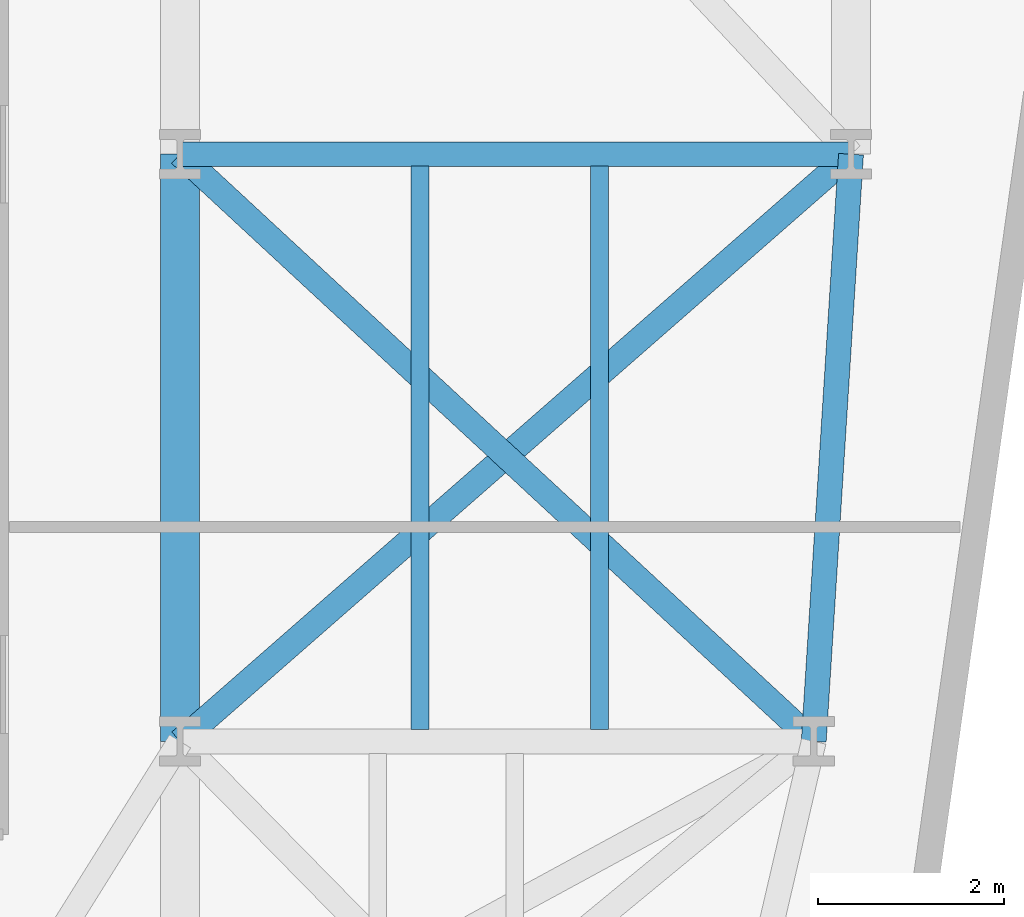
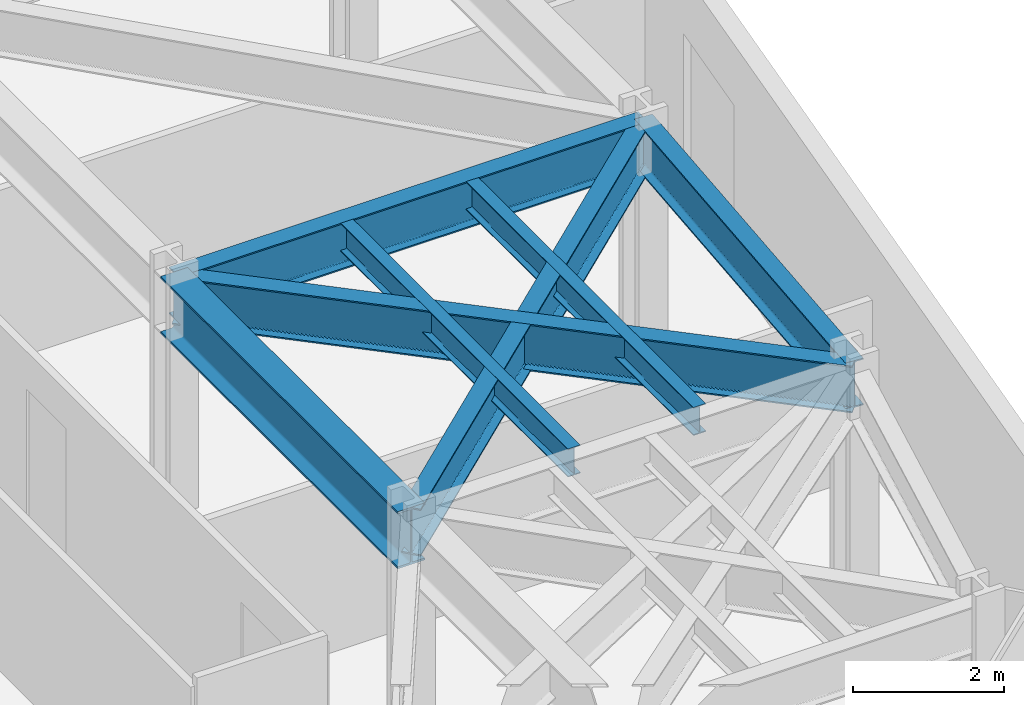
# One storey, part 14 of 25: 7 beams.
"""IFC4 building model written with IfcOpenShell, lengths in metres."""

from ifc_helpers import new_model, si_unit, direction, frame, origin, origin_2d, place, context, subcontext, project, spatial, i_section, extrude, material, material_profile, profile_set, type_object, element, save


model = new_model("IFC4")

# Units and contexts
model_context = context("Model", 3, precision=1e-05, world=origin(), true_north=direction((0.0, 1.0)))
body_context = subcontext(model_context, "Body", "Model", "MODEL_VIEW")
ifc_project = project(units=[si_unit("LENGTHUNIT", "METRE"), si_unit("AREAUNIT", "SQUARE_METRE"), si_unit("VOLUMEUNIT", "CUBIC_METRE"), si_unit("PLANEANGLEUNIT", "RADIAN"), si_unit("MASSUNIT", "GRAM", prefix="KILO")], contexts=[model_context])

# Site, building, storey
site_placement = place(None, origin())
site = spatial("IfcSite", under=ifc_project, at=site_placement, CompositionType="ELEMENT")
building_placement = place(site_placement, origin())
building = spatial("IfcBuilding", under=site, at=building_placement, Name="Kravanh Interchange Tower", CompositionType="ELEMENT")
storey_placement = place(building_placement, frame((0.0, 0.0, 41.5)))
storey = spatial("IfcBuildingStorey", under=building, at=storey_placement, Name="L09", CompositionType="ELEMENT", Elevation=41.5)

# Beams
ifc_material_1 = material(Name="Structural Steel S355", Category="steel")
ifc_material_profile_1 = material_profile(ifc_material_1, i_section(OverallWidth=0.41796875, OverallDepth=0.927001953125, WebThickness=0.019287109375, FlangeThickness=0.031982421875, FilletRadius=0.028076171875, at=origin_2d()), Name="W36X231")
ifc_profile_set_1 = profile_set([ifc_material_profile_1], Name="Structural Steel S355")
beam_type_1 = type_object("IfcBeamType", Name="Floor Beam W36X231 Structural Steel S355", PredefinedType="BEAM", material=ifc_profile_set_1)
beam_1_placement = place(storey_placement, frame((56.0, 14.5, 3.276611328125), z_axis=(0.0, -1.0, 0.0), x_axis=(1.0, 0.0, 0.0)))
element("IfcBeam", 1, at=beam_1_placement, inside=storey, type_object=beam_type_1, Name="L09 Primary Floor Girder 42", PredefinedType="BEAM", context=body_context, shape_type="SweptSolid", body=[
    extrude(i_section(OverallWidth=0.41796875, OverallDepth=0.927001953125, WebThickness=0.019287109375, FlangeThickness=0.031982421875, FilletRadius=0.028076171875, at=origin_2d()), origin(), (0.0, 0.0, 1.0), 6.300048828125),
])
ifc_material_2 = material(Name="Structural Steel S355", Category="steel")
ifc_material_profile_2 = material_profile(ifc_material_2, i_section(OverallWidth=0.18994140625, OverallDepth=0.45703125, WebThickness=0.009033203125, FlangeThickness=0.014404296875, FilletRadius=0.01806640625, at=origin_2d()), Name="W18X50")
ifc_profile_set_2 = profile_set([ifc_material_profile_2], Name="Structural Steel S355")
beam_type_2 = type_object("IfcBeamType", Name="Floor Joist W18X50 Structural Steel S355", PredefinedType="JOIST", material=ifc_profile_set_2)
for number, where, z_axis, x_axis, name in (
    (2, (58.574951171875, 8.32861328125, 3.511474609375), (0.0, 1.0, 0.0), (-1.0, 0.0, 0.0), "L09 Secondary Floor Joist 11"),
    (3, (60.5, 8.32861328125, 3.511474609375), (0.0, 1.0, 0.0), (-1.0, 0.0, 0.0), "L09 Secondary Floor Joist 12"),
):
    element("IfcBeam", number, at=place(storey_placement, frame(where, z_axis=z_axis, x_axis=x_axis)), inside=storey, type_object=beam_type_2, Name=name, PredefinedType="JOIST", context=body_context, shape_type="SweptSolid", body=[
        extrude(i_section(OverallWidth=0.18994140625, OverallDepth=0.45703125, WebThickness=0.009033203125, FlangeThickness=0.014404296875, FilletRadius=0.01806640625, at=origin_2d()), origin(), (0.0, 0.0, 1.0), 6.04296875),
    ])
ifc_material_3 = material(Name="Structural Steel S355", Category="steel")
ifc_material_profile_3 = material_profile(ifc_material_3, i_section(OverallWidth=0.26708984375, OverallDepth=0.761962890625, WebThickness=0.014404296875, FlangeThickness=0.021484375, FilletRadius=0.02490234375, at=origin_2d()), Name="W30X116")
ifc_profile_set_3 = profile_set([ifc_material_profile_3], Name="Structural Steel S355")
beam_type_3 = type_object("IfcBeamType", Name="Floor Spandrel W30X116 Structural Steel S355", PredefinedType="SPANDREL", material=ifc_profile_set_3)
beam_2_placement = place(storey_placement, frame((56.0, 14.5, 3.35888671875), z_axis=(1.0, 0.0, 0.0), x_axis=(0.0, 1.0, 0.0)))
element("IfcBeam", 4, at=beam_2_placement, inside=storey, type_object=beam_type_3, Name="L09 Perimeter Spandrel 43", PredefinedType="SPANDREL", context=body_context, shape_type="SweptSolid", body=[
    extrude(i_section(OverallWidth=0.26708984375, OverallDepth=0.761962890625, WebThickness=0.014404296875, FlangeThickness=0.021484375, FilletRadius=0.02490234375, at=origin_2d()), origin(), (0.0, 0.0, 1.0), 7.199951171875),
])
beam_3_placement = place(storey_placement, frame((56.0, 14.5, 3.35888671875), z_axis=(0.733561267923, -0.679623326706, 0.0), x_axis=(0.679623326706, 0.733561267923, 0.0)))
element("IfcBeam", 5, at=beam_3_placement, inside=storey, type_object=beam_type_3, Name="L09 Perimeter Spandrel 45", PredefinedType="SPANDREL", context=body_context, shape_type="SweptSolid", body=[
    extrude(i_section(OverallWidth=0.26708984375, OverallDepth=0.761962890625, WebThickness=0.014404296875, FlangeThickness=0.021484375, FilletRadius=0.02490234375, at=origin_2d()), origin(), (0.0, 0.0, 1.0), 9.27001953125),
])
beam_4_placement = place(storey_placement, frame((63.199951171875, 14.5, 3.35888671875), z_axis=(-0.063348576418, -0.99799146182, 0.0), x_axis=(0.99799146182, -0.063348576418, 0.0)))
element("IfcBeam", 6, at=beam_4_placement, inside=storey, type_object=beam_type_3, Name="L09 Perimeter Spandrel 46", PredefinedType="SPANDREL", context=body_context, shape_type="SweptSolid", body=[
    extrude(i_section(OverallWidth=0.26708984375, OverallDepth=0.761962890625, WebThickness=0.014404296875, FlangeThickness=0.021484375, FilletRadius=0.02490234375, at=origin_2d()), origin(), (0.0, 0.0, 1.0), 6.312744140625),
])
beam_5_placement = place(storey_placement, frame((63.199951171875, 14.5, 3.35888671875), z_axis=(-0.752571952274, -0.658510027752, 0.0), x_axis=(0.658510027752, -0.752571952274, 0.0)))
element("IfcBeam", 7, at=beam_5_placement, inside=storey, type_object=beam_type_3, Name="L09 Perimeter Spandrel 48", PredefinedType="SPANDREL", context=body_context, shape_type="SweptSolid", body=[
    extrude(i_section(OverallWidth=0.26708984375, OverallDepth=0.761962890625, WebThickness=0.014404296875, FlangeThickness=0.021484375, FilletRadius=0.02490234375, at=origin_2d()), origin(), (0.0, 0.0, 1.0), 9.567138671875),
])

save(model, "model.ifc")
